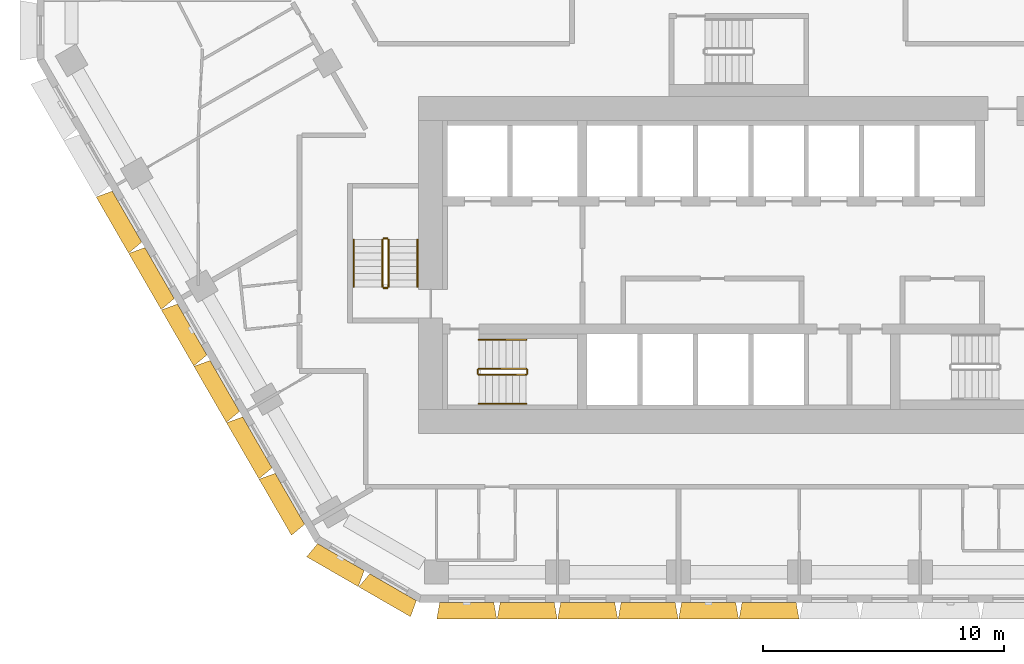
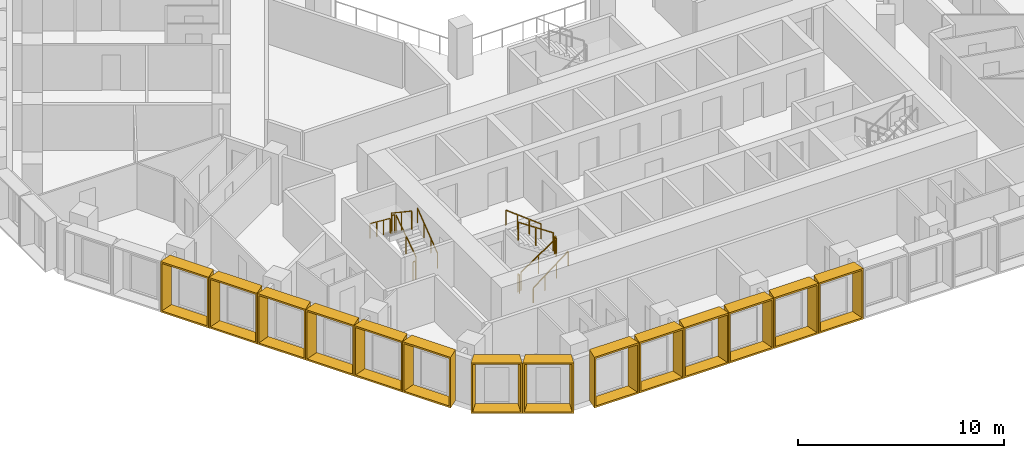
# One storey, part 15 of 18: 14 shading devices, 12 railings.
"""IFC4 building model written with IfcOpenShell, lengths in metres."""

from ifc_helpers import new_model, entity, si_unit, direction, frame, origin, origin_2d, place, context, subcontext, project, spatial, rectangle, extrude, source, transform, mapped, material, type_object, type_shapes, element, save


model = new_model("IFC4")

# Units and contexts
model_context = context("Model", 3, precision=1e-05, world=origin(), true_north=direction((0.0, 1.0)))
body_context = subcontext(model_context, "Body", "Model", "MODEL_VIEW")
ifc_project = project(units=[si_unit("LENGTHUNIT", "METRE"), si_unit("AREAUNIT", "SQUARE_METRE"), si_unit("VOLUMEUNIT", "CUBIC_METRE"), si_unit("PLANEANGLEUNIT", "RADIAN"), si_unit("MASSUNIT", "GRAM", prefix="KILO")], contexts=[model_context])

# Site, building, storey
site_placement = place(None, origin())
site = spatial("IfcSite", under=ifc_project, at=site_placement, CompositionType="ELEMENT")
building_placement = place(site_placement, origin())
building = spatial("IfcBuilding", under=site, at=building_placement, Name="Beryl Residences", CompositionType="ELEMENT")
storey_placement = place(building_placement, frame((0.0, 0.0, 87.0)))
storey = spatial("IfcBuildingStorey", under=building, at=storey_placement, Name="L26", CompositionType="ELEMENT", Elevation=87.0)

# Shading devices
ifc_material_1 = material(Name="Aluminium pale anodised", Category="aluminium")
shading_device_type_1 = type_object("IfcShadingDeviceType", Name="FR250-70A OUTER SKIN frame 700 mm deep, splay 10/10 deg, 2500 x 3000 mm cell", PredefinedType="USERDEFINED", material=ifc_material_1)
cartesian_point_1 = entity("IfcCartesianPoint", [-1.116455078125, 0.0])
cartesian_point_2 = entity("IfcCartesianPoint", [-1.03515625, 0.10009765625])
cartesian_point_3 = entity("IfcCartesianPoint", [-1.239990234375, 0.0])
cartesian_point_4 = entity("IfcCartesianPoint", [-1.15869140625, 0.10009765625])
shared_shape_1 = source(origin(), body_context, "Body", "SweptSolid", [
    entity("IfcExtrudedAreaSolidTapered", entity("IfcArbitraryProfileDefWithVoids", "AREA", None, entity("IfcPolyline", [cartesian_point_1, entity("IfcCartesianPoint", [1.116455078125, 0.0]), entity("IfcCartesianPoint", [1.116455078125, 3.0]), entity("IfcCartesianPoint", [-1.116455078125, 3.0]), cartesian_point_1]), [entity("IfcPolyline", [cartesian_point_2, entity("IfcCartesianPoint", [1.03515625, 0.10009765625]), entity("IfcCartesianPoint", [1.03515625, 2.89990234375]), entity("IfcCartesianPoint", [-1.03515625, 2.89990234375]), cartesian_point_2])]), entity("IfcAxis2Placement3D", entity("IfcCartesianPoint", [0.0, 0.0, 0.0]), entity("IfcDirection", [0.0, 1.0, 0.0]), entity("IfcDirection", [-1.0, 0.0, 0.0])), entity("IfcDirection", [0.0, 0.0, 1.0]), 0.699951171875, entity("IfcArbitraryProfileDefWithVoids", "AREA", None, entity("IfcPolyline", [cartesian_point_3, entity("IfcCartesianPoint", [1.239990234375, 0.0]), entity("IfcCartesianPoint", [1.239990234375, 3.0]), entity("IfcCartesianPoint", [-1.239990234375, 3.0]), cartesian_point_3]), [entity("IfcPolyline", [cartesian_point_4, entity("IfcCartesianPoint", [1.15869140625, 0.10009765625]), entity("IfcCartesianPoint", [1.15869140625, 2.89990234375]), entity("IfcCartesianPoint", [-1.15869140625, 2.89990234375]), cartesian_point_4])])),
])
type_shapes(shading_device_type_1, [shared_shape_1])
for number, where, z_axis, x_axis, name in (
    (1, (-16.527099609375, -24.125, 0.0), (0.0, 0.0, 1.0), (-0.866025403784, 0.5, 0.0), "FR250-70A frame L26 SW-S 1"),
    (2, (-14.361083984375, -25.375, 0.0), (0.0, 0.0, 1.0), (-0.866025403784, 0.5, 0.0), "FR250-70A frame L26 SW-S 2"),
):
    element("IfcShadingDevice", number, at=place(storey_placement, frame(where, z_axis=z_axis, x_axis=x_axis)), inside=storey, type_object=shading_device_type_1, Name=name, ObjectType="OUTER SKIN", PredefinedType="USERDEFINED", context=body_context, shape_type="MappedRepresentation", body=[
        mapped(shared_shape_1, transform((0.0, 0.0, 0.0))),
    ])
ifc_material_2 = material(Name="Aluminium pale anodised", Category="aluminium")
shading_device_type_2 = type_object("IfcShadingDeviceType", Name="FR251-70A OUTER SKIN frame 700 mm deep, splay 10/10 deg, 2510 x 3000 mm cell", PredefinedType="USERDEFINED", material=ifc_material_2)
cartesian_point_5 = entity("IfcCartesianPoint", [-1.12158203125, 0.0])
cartesian_point_6 = entity("IfcCartesianPoint", [-1.040283203125, 0.10009765625])
cartesian_point_7 = entity("IfcCartesianPoint", [-1.244873046875, 0.0])
cartesian_point_8 = entity("IfcCartesianPoint", [-1.16357421875, 0.10009765625])
shared_shape_2 = source(origin(), body_context, "Body", "SweptSolid", [
    entity("IfcExtrudedAreaSolidTapered", entity("IfcArbitraryProfileDefWithVoids", "AREA", None, entity("IfcPolyline", [cartesian_point_5, entity("IfcCartesianPoint", [1.12158203125, 0.0]), entity("IfcCartesianPoint", [1.12158203125, 3.0]), entity("IfcCartesianPoint", [-1.12158203125, 3.0]), cartesian_point_5]), [entity("IfcPolyline", [cartesian_point_6, entity("IfcCartesianPoint", [1.040283203125, 0.10009765625]), entity("IfcCartesianPoint", [1.040283203125, 2.89990234375]), entity("IfcCartesianPoint", [-1.040283203125, 2.89990234375]), cartesian_point_6])]), entity("IfcAxis2Placement3D", entity("IfcCartesianPoint", [0.0, 0.0, 0.0]), entity("IfcDirection", [0.0, 1.0, 0.0]), entity("IfcDirection", [-1.0, 0.0, 0.0])), entity("IfcDirection", [0.0, 0.0, 1.0]), 0.699951171875, entity("IfcArbitraryProfileDefWithVoids", "AREA", None, entity("IfcPolyline", [cartesian_point_7, entity("IfcCartesianPoint", [1.244873046875, 0.0]), entity("IfcCartesianPoint", [1.244873046875, 3.0]), entity("IfcCartesianPoint", [-1.244873046875, 3.0]), cartesian_point_7]), [entity("IfcPolyline", [cartesian_point_8, entity("IfcCartesianPoint", [1.16357421875, 0.10009765625]), entity("IfcCartesianPoint", [1.16357421875, 2.89990234375]), entity("IfcCartesianPoint", [-1.16357421875, 2.89990234375]), cartesian_point_8])])),
])
type_shapes(shading_device_type_2, [shared_shape_2])
for number, where, z_axis, x_axis, name in (
    (3, (-11.301025390625, -26.0, 0.0), (0.0, 0.0, 1.0), (-1.0, 0.0, 0.0), "FR251-70A frame L26 S 1"),
    (4, (-8.7900390625, -26.0, 0.0), (0.0, 0.0, 1.0), (-1.0, 0.0, 0.0), "FR251-70A frame L26 S 2"),
    (5, (-6.278076171875, -26.0, 0.0), (0.0, 0.0, 1.0), (-1.0, 0.0, 0.0), "FR251-70A frame L26 S 3"),
    (6, (-3.76708984375, -26.0, 0.0), (0.0, 0.0, 1.0), (-1.0, 0.0, 0.0), "FR251-70A frame L26 S 4"),
    (7, (-1.2548828125, -26.0, 0.0), (0.0, 0.0, 1.0), (-1.0, 0.0, 0.0), "FR251-70A frame L26 S 5"),
    (8, (1.256103515625, -26.0, 0.0), (0.0, 0.0, 1.0), (-1.0, 0.0, 0.0), "FR251-70A frame L26 S 6"),
):
    element("IfcShadingDevice", number, at=place(storey_placement, frame(where, z_axis=z_axis, x_axis=x_axis)), inside=storey, type_object=shading_device_type_2, Name=name, ObjectType="OUTER SKIN", PredefinedType="USERDEFINED", context=body_context, shape_type="MappedRepresentation", body=[
        mapped(shared_shape_2, transform((0.0, 0.0, 0.0))),
    ])
ifc_material_3 = material(Name="Aluminium pale anodised", Category="aluminium")
shading_device_type_3 = type_object("IfcShadingDeviceType", Name="FR271-70A OUTER SKIN frame 700 mm deep, splay 10/10 deg, 2710 x 3000 mm cell", PredefinedType="USERDEFINED", material=ifc_material_3)
cartesian_point_9 = entity("IfcCartesianPoint", [-1.221435546875, 0.0])
cartesian_point_10 = entity("IfcCartesianPoint", [-1.140380859375, 0.10009765625])
cartesian_point_11 = entity("IfcCartesianPoint", [-1.344970703125, 0.0])
cartesian_point_12 = entity("IfcCartesianPoint", [-1.263671875, 0.10009765625])
shared_shape_3 = source(origin(), body_context, "Body", "SweptSolid", [
    entity("IfcExtrudedAreaSolidTapered", entity("IfcArbitraryProfileDefWithVoids", "AREA", None, entity("IfcPolyline", [cartesian_point_9, entity("IfcCartesianPoint", [1.221435546875, 0.0]), entity("IfcCartesianPoint", [1.221435546875, 3.0]), entity("IfcCartesianPoint", [-1.221435546875, 3.0]), cartesian_point_9]), [entity("IfcPolyline", [cartesian_point_10, entity("IfcCartesianPoint", [1.140380859375, 0.10009765625]), entity("IfcCartesianPoint", [1.140380859375, 2.89990234375]), entity("IfcCartesianPoint", [-1.140380859375, 2.89990234375]), cartesian_point_10])]), entity("IfcAxis2Placement3D", entity("IfcCartesianPoint", [0.0, 0.0, 0.0]), entity("IfcDirection", [0.0, 1.0, 0.0]), entity("IfcDirection", [-1.0, 0.0, 0.0])), entity("IfcDirection", [0.0, 0.0, 1.0]), 0.699951171875, entity("IfcArbitraryProfileDefWithVoids", "AREA", None, entity("IfcPolyline", [cartesian_point_11, entity("IfcCartesianPoint", [1.344970703125, 0.0]), entity("IfcCartesianPoint", [1.344970703125, 3.0]), entity("IfcCartesianPoint", [-1.344970703125, 3.0]), cartesian_point_11]), [entity("IfcPolyline", [cartesian_point_12, entity("IfcCartesianPoint", [1.263671875, 0.10009765625]), entity("IfcCartesianPoint", [1.263671875, 2.89990234375]), entity("IfcCartesianPoint", [-1.263671875, 2.89990234375]), cartesian_point_12])])),
])
type_shapes(shading_device_type_3, [shared_shape_3])
for number, where, z_axis, x_axis, name in (
    (9, (-25.4130859375, -9.98388671875, 0.0), (0.0, 0.0, 1.0), (-0.5, 0.866025403784, 0.0), "FR271-70A frame L26 SW 3"),
    (10, (-24.06005859375, -12.327880859375, 0.0), (0.0, 0.0, 1.0), (-0.5, 0.866025403784, 0.0), "FR271-70A frame L26 SW 4"),
    (11, (-22.7060546875, -14.672119140625, 0.0), (0.0, 0.0, 1.0), (-0.5, 0.866025403784, 0.0), "FR271-70A frame L26 SW 5"),
    (12, (-21.35302734375, -17.01611328125, 0.0), (0.0, 0.0, 1.0), (-0.5, 0.866025403784, 0.0), "FR271-70A frame L26 SW 6"),
    (13, (-20.0, -19.360107421875, 0.0), (0.0, 0.0, 1.0), (-0.5, 0.866025403784, 0.0), "FR271-70A frame L26 SW 7"),
    (14, (-18.64697265625, -21.7041015625, 0.0), (0.0, 0.0, 1.0), (-0.5, 0.866025403784, 0.0), "FR271-70A frame L26 SW 8"),
):
    element("IfcShadingDevice", number, at=place(storey_placement, frame(where, z_axis=z_axis, x_axis=x_axis)), inside=storey, type_object=shading_device_type_3, Name=name, ObjectType="OUTER SKIN", PredefinedType="USERDEFINED", context=body_context, shape_type="MappedRepresentation", body=[
        mapped(shared_shape_3, transform((0.0, 0.0, 0.0))),
    ])

# Railings
ifc_material_4 = material(Name="Stainless steel balustrade with glass infill", Category="steel")
railing_type_1 = type_object("IfcRailingType", Name="SG1 stair guard 1100 mm", PredefinedType="GUARDRAIL", material=ifc_material_4)
railing_1_placement = place(storey_placement, frame((-10.800048828125, -16.550048828125, 0.1875)))
element("IfcRailing", 15, at=railing_1_placement, inside=storey, type_object=railing_type_1, Name="L26 ST-1 stair guard 1", PredefinedType="GUARDRAIL", context=body_context, shape_type="SweptSolid", body=[
    extrude(rectangle(XDim=0.048095703125, YDim=0.048095703125, at=origin_2d()), frame((0.0, 0.0, 1.076171875), z_axis=(0.830902050051, 0.0, 0.556418712142), x_axis=(0.0, 1.0, 0.0)), (0.0, 0.0, 1.0), 2.35888671875),
    extrude(rectangle(XDim=0.0419921875, YDim=0.0419921875, at=origin_2d()), origin(), (0.0, 0.0, 1.0), 1.052001953125),
    extrude(rectangle(XDim=0.0419921875, YDim=0.0419921875, at=origin_2d()), frame((0.97998046875, 0.0, 0.65625)), (0.0, 0.0, 1.0), 1.052001953125),
    extrude(rectangle(XDim=0.0419921875, YDim=0.0419921875, at=origin_2d()), frame((1.9599609375, 0.0, 1.3125)), (0.0, 0.0, 1.0), 1.052001953125),
])
railing_2_placement = place(storey_placement, frame((-8.7900390625, -16.5, 1.5)))
element("IfcRailing", 16, at=railing_2_placement, inside=storey, type_object=railing_type_1, Name="L26 ST-1 stair guard 2", PredefinedType="GUARDRAIL", context=body_context, shape_type="SweptSolid", body=[
    extrude(rectangle(XDim=0.048095703125, YDim=0.048095703125, at=origin_2d()), frame((0.0, 0.0, 1.076171875), z_axis=(0.0, 1.0, 0.0), x_axis=(-1.0, 0.0, 0.0)), (0.0, 0.0, 1.0), 0.14990234375),
    extrude(rectangle(XDim=0.0419921875, YDim=0.0419921875, at=origin_2d()), origin(), (0.0, 0.0, 1.0), 1.052001953125),
    extrude(rectangle(XDim=0.0419921875, YDim=0.0419921875, at=origin_2d()), frame((0.0, 0.14990234375, 0.0)), (0.0, 0.0, 1.0), 1.052001953125),
])
railing_3_placement = place(storey_placement, frame((-8.840087890625, -16.300048828125, 1.6875)))
element("IfcRailing", 17, at=railing_3_placement, inside=storey, type_object=railing_type_1, Name="L26 ST-1 stair guard 3", PredefinedType="GUARDRAIL", context=body_context, shape_type="SweptSolid", body=[
    extrude(rectangle(XDim=0.048095703125, YDim=0.048095703125, at=origin_2d()), frame((0.0, 0.0, 1.076171875), z_axis=(-0.830902050051, 0.0, 0.556418712142), x_axis=(0.0, -1.0, 0.0)), (0.0, 0.0, 1.0), 2.35888671875),
    extrude(rectangle(XDim=0.0419921875, YDim=0.0419921875, at=origin_2d()), origin(), (0.0, 0.0, 1.0), 1.052001953125),
    extrude(rectangle(XDim=0.0419921875, YDim=0.0419921875, at=origin_2d()), frame((-0.97998046875, 0.0, 0.65625)), (0.0, 0.0, 1.0), 1.052001953125),
    extrude(rectangle(XDim=0.0419921875, YDim=0.0419921875, at=origin_2d()), frame((-1.9599609375, 0.0, 1.3125)), (0.0, 0.0, 1.0), 1.052001953125),
])
railing_4_placement = place(storey_placement, frame((-10.85009765625, -16.5, 0.0)))
element("IfcRailing", 18, at=railing_4_placement, inside=storey, type_object=railing_type_1, Name="L26 ST-1 stair guard 4", PredefinedType="GUARDRAIL", context=body_context, shape_type="SweptSolid", body=[
    extrude(rectangle(XDim=0.048095703125, YDim=0.048095703125, at=origin_2d()), frame((0.0, 0.0, 1.076171875), z_axis=(0.0, 1.0, 0.0), x_axis=(-1.0, 0.0, 0.0)), (0.0, 0.0, 1.0), 0.14990234375),
    extrude(rectangle(XDim=0.0419921875, YDim=0.0419921875, at=origin_2d()), origin(), (0.0, 0.0, 1.0), 1.052001953125),
    extrude(rectangle(XDim=0.0419921875, YDim=0.0419921875, at=origin_2d()), frame((0.0, 0.14990234375, 0.0)), (0.0, 0.0, 1.0), 1.052001953125),
])
railing_5_placement = place(storey_placement, frame((-14.550048828125, -12.89990234375, 0.1875)))
element("IfcRailing", 19, at=railing_5_placement, inside=storey, type_object=railing_type_1, Name="L26 ST-2 stair guard 1", PredefinedType="GUARDRAIL", context=body_context, shape_type="SweptSolid", body=[
    extrude(rectangle(XDim=0.048095703125, YDim=0.048095703125, at=origin_2d()), frame((0.0, 0.0, 1.076171875), z_axis=(0.0, 0.830902050051, 0.556418712142), x_axis=(-1.0, 0.0, 0.0)), (0.0, 0.0, 1.0), 2.35888671875),
    extrude(rectangle(XDim=0.0419921875, YDim=0.0419921875, at=origin_2d()), origin(), (0.0, 0.0, 1.0), 1.052001953125),
    extrude(rectangle(XDim=0.0419921875, YDim=0.0419921875, at=origin_2d()), frame((0.0, 0.97998046875, 0.65625)), (0.0, 0.0, 1.0), 1.052001953125),
    extrude(rectangle(XDim=0.0419921875, YDim=0.0419921875, at=origin_2d()), frame((0.0, 1.9599609375, 1.3125)), (0.0, 0.0, 1.0), 1.052001953125),
])
railing_6_placement = place(storey_placement, frame((-14.60009765625, -10.889892578125, 1.5)))
element("IfcRailing", 20, at=railing_6_placement, inside=storey, type_object=railing_type_1, Name="L26 ST-2 stair guard 2", PredefinedType="GUARDRAIL", context=body_context, shape_type="SweptSolid", body=[
    extrude(rectangle(XDim=0.048095703125, YDim=0.048095703125, at=origin_2d()), frame((0.0, 0.0, 1.076171875), z_axis=(-1.0, 0.0, 0.0), x_axis=(0.0, -1.0, 0.0)), (0.0, 0.0, 1.0), 0.14990234375),
    extrude(rectangle(XDim=0.0419921875, YDim=0.0419921875, at=origin_2d()), origin(), (0.0, 0.0, 1.0), 1.052001953125),
    extrude(rectangle(XDim=0.0419921875, YDim=0.0419921875, at=origin_2d()), frame((-0.14990234375, 0.0, 0.0)), (0.0, 0.0, 1.0), 1.052001953125),
])
railing_7_placement = place(storey_placement, frame((-14.800048828125, -10.93994140625, 1.6875)))
element("IfcRailing", 21, at=railing_7_placement, inside=storey, type_object=railing_type_1, Name="L26 ST-2 stair guard 3", PredefinedType="GUARDRAIL", context=body_context, shape_type="SweptSolid", body=[
    extrude(rectangle(XDim=0.048095703125, YDim=0.048095703125, at=origin_2d()), frame((0.0, 0.0, 1.076171875), z_axis=(0.0, -0.830902050051, 0.556418712142), x_axis=(1.0, 0.0, 0.0)), (0.0, 0.0, 1.0), 2.35888671875),
    extrude(rectangle(XDim=0.0419921875, YDim=0.0419921875, at=origin_2d()), origin(), (0.0, 0.0, 1.0), 1.052001953125),
    extrude(rectangle(XDim=0.0419921875, YDim=0.0419921875, at=origin_2d()), frame((0.0, -0.97998046875, 0.65625)), (0.0, 0.0, 1.0), 1.052001953125),
    extrude(rectangle(XDim=0.0419921875, YDim=0.0419921875, at=origin_2d()), frame((0.0, -1.9599609375, 1.3125)), (0.0, 0.0, 1.0), 1.052001953125),
])
railing_8_placement = place(storey_placement, frame((-14.60009765625, -12.949951171875, 0.0)))
element("IfcRailing", 22, at=railing_8_placement, inside=storey, type_object=railing_type_1, Name="L26 ST-2 stair guard 4", PredefinedType="GUARDRAIL", context=body_context, shape_type="SweptSolid", body=[
    extrude(rectangle(XDim=0.048095703125, YDim=0.048095703125, at=origin_2d()), frame((0.0, 0.0, 1.076171875), z_axis=(-1.0, 0.0, 0.0), x_axis=(0.0, -1.0, 0.0)), (0.0, 0.0, 1.0), 0.14990234375),
    extrude(rectangle(XDim=0.0419921875, YDim=0.0419921875, at=origin_2d()), origin(), (0.0, 0.0, 1.0), 1.052001953125),
    extrude(rectangle(XDim=0.0419921875, YDim=0.0419921875, at=origin_2d()), frame((-0.14990234375, 0.0, 0.0)), (0.0, 0.0, 1.0), 1.052001953125),
])
ifc_material_5 = material(Name="Stainless steel handrail", Category="steel")
railing_type_2 = type_object("IfcRailingType", Name="SRL1 stair handrail 900 mm", PredefinedType="HANDRAIL", material=ifc_material_5)
railing_9_placement = place(storey_placement, frame((-10.800048828125, -17.75, 0.1875)))
element("IfcRailing", 23, at=railing_9_placement, inside=storey, type_object=railing_type_2, Name="L26 ST-1 stair handrail 1", PredefinedType="HANDRAIL", context=body_context, shape_type="SweptSolid", body=[
    extrude(rectangle(XDim=0.048095703125, YDim=0.048095703125, at=origin_2d()), frame((0.0, 0.0, 0.8759765625), z_axis=(0.794121922505, 0.0, 0.607758481798), x_axis=(0.0, 1.0, 0.0)), (0.0, 0.0, 1.0), 2.468017578125),
    extrude(rectangle(XDim=0.0419921875, YDim=0.0419921875, at=origin_2d()), origin(), (0.0, 0.0, 1.0), 0.851806640625),
    extrude(rectangle(XDim=0.0419921875, YDim=0.0419921875, at=origin_2d()), frame((0.6533203125, 0.0, 0.5)), (0.0, 0.0, 1.0), 0.851806640625),
    extrude(rectangle(XDim=0.0419921875, YDim=0.0419921875, at=origin_2d()), frame((1.306640625, 0.0, 1.0)), (0.0, 0.0, 1.0), 0.851806640625),
    extrude(rectangle(XDim=0.0419921875, YDim=0.0419921875, at=origin_2d()), frame((1.9599609375, 0.0, 1.5)), (0.0, 0.0, 1.0), 0.851806640625),
])
railing_10_placement = place(storey_placement, frame((-8.840087890625, -15.10009765625, 1.6875)))
element("IfcRailing", 24, at=railing_10_placement, inside=storey, type_object=railing_type_2, Name="L26 ST-1 stair handrail 2", PredefinedType="HANDRAIL", context=body_context, shape_type="SweptSolid", body=[
    extrude(rectangle(XDim=0.048095703125, YDim=0.048095703125, at=origin_2d()), frame((0.0, 0.0, 0.8759765625), z_axis=(-0.794121922505, 0.0, 0.607758481798), x_axis=(0.0, -1.0, 0.0)), (0.0, 0.0, 1.0), 2.468017578125),
    extrude(rectangle(XDim=0.0419921875, YDim=0.0419921875, at=origin_2d()), origin(), (0.0, 0.0, 1.0), 0.851806640625),
    extrude(rectangle(XDim=0.0419921875, YDim=0.0419921875, at=origin_2d()), frame((-0.6533203125, 0.0, 0.5)), (0.0, 0.0, 1.0), 0.851806640625),
    extrude(rectangle(XDim=0.0419921875, YDim=0.0419921875, at=origin_2d()), frame((-1.306640625, 0.0, 1.0)), (0.0, 0.0, 1.0), 0.851806640625),
    extrude(rectangle(XDim=0.0419921875, YDim=0.0419921875, at=origin_2d()), frame((-1.9599609375, 0.0, 1.5)), (0.0, 0.0, 1.0), 0.851806640625),
])
railing_11_placement = place(storey_placement, frame((-13.35009765625, -12.89990234375, 0.1875)))
element("IfcRailing", 25, at=railing_11_placement, inside=storey, type_object=railing_type_2, Name="L26 ST-2 stair handrail 1", PredefinedType="HANDRAIL", context=body_context, shape_type="SweptSolid", body=[
    extrude(rectangle(XDim=0.048095703125, YDim=0.048095703125, at=origin_2d()), frame((0.0, 0.0, 0.8759765625), z_axis=(0.0, 0.794121922505, 0.607758481798), x_axis=(-1.0, 0.0, 0.0)), (0.0, 0.0, 1.0), 2.468017578125),
    extrude(rectangle(XDim=0.0419921875, YDim=0.0419921875, at=origin_2d()), origin(), (0.0, 0.0, 1.0), 0.851806640625),
    extrude(rectangle(XDim=0.0419921875, YDim=0.0419921875, at=origin_2d()), frame((0.0, 0.6533203125, 0.5)), (0.0, 0.0, 1.0), 0.851806640625),
    extrude(rectangle(XDim=0.0419921875, YDim=0.0419921875, at=origin_2d()), frame((0.0, 1.306640625, 1.0)), (0.0, 0.0, 1.0), 0.851806640625),
    extrude(rectangle(XDim=0.0419921875, YDim=0.0419921875, at=origin_2d()), frame((0.0, 1.9599609375, 1.5)), (0.0, 0.0, 1.0), 0.851806640625),
])
railing_12_placement = place(storey_placement, frame((-16.0, -10.93994140625, 1.6875)))
element("IfcRailing", 26, at=railing_12_placement, inside=storey, type_object=railing_type_2, Name="L26 ST-2 stair handrail 2", PredefinedType="HANDRAIL", context=body_context, shape_type="SweptSolid", body=[
    extrude(rectangle(XDim=0.048095703125, YDim=0.048095703125, at=origin_2d()), frame((0.0, 0.0, 0.8759765625), z_axis=(0.0, -0.794121922505, 0.607758481798), x_axis=(1.0, 0.0, 0.0)), (0.0, 0.0, 1.0), 2.468017578125),
    extrude(rectangle(XDim=0.0419921875, YDim=0.0419921875, at=origin_2d()), origin(), (0.0, 0.0, 1.0), 0.851806640625),
    extrude(rectangle(XDim=0.0419921875, YDim=0.0419921875, at=origin_2d()), frame((0.0, -0.6533203125, 0.5)), (0.0, 0.0, 1.0), 0.851806640625),
    extrude(rectangle(XDim=0.0419921875, YDim=0.0419921875, at=origin_2d()), frame((0.0, -1.306640625, 1.0)), (0.0, 0.0, 1.0), 0.851806640625),
    extrude(rectangle(XDim=0.0419921875, YDim=0.0419921875, at=origin_2d()), frame((0.0, -1.9599609375, 1.5)), (0.0, 0.0, 1.0), 0.851806640625),
])

save(model, "model.ifc")
